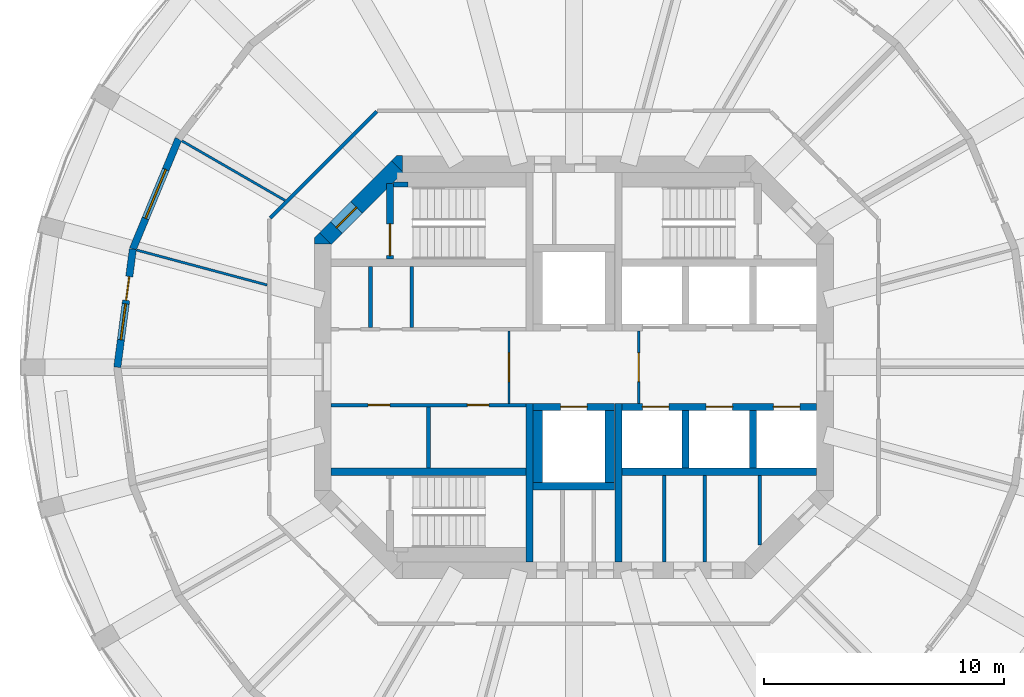
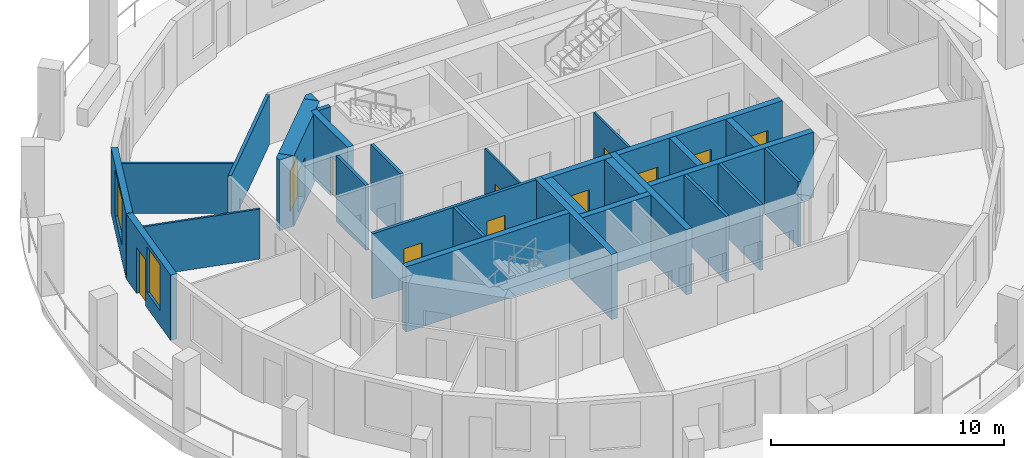
# One storey, part 4 of 9: 30 walls, 11 doors, 2 windows, 13 openings.
"""IFC4 building model written with IfcOpenShell, lengths in metres."""

from ifc_helpers import new_model, si_unit, direction, frame, frame_2d, origin, place, context, subcontext, project, spatial, polyline, rectangle, outline, extrude, material, layer, layer_set, type_object, element, fill, save


model = new_model("IFC4")

# Units and contexts
model_context = context("Model", 3, precision=1e-05, world=origin(), true_north=direction((0.0, 1.0)))
body_context = subcontext(model_context, "Body", "Model", "MODEL_VIEW")
ifc_project = project(units=[si_unit("LENGTHUNIT", "METRE"), si_unit("AREAUNIT", "SQUARE_METRE"), si_unit("VOLUMEUNIT", "CUBIC_METRE"), si_unit("PLANEANGLEUNIT", "RADIAN"), si_unit("MASSUNIT", "GRAM", prefix="KILO")], contexts=[model_context])

# Site, building, storey
site_placement = place(None, origin())
site = spatial("IfcSite", under=ifc_project, at=site_placement, CompositionType="ELEMENT")
building_placement = place(site_placement, origin())
building = spatial("IfcBuilding", under=site, at=building_placement, Name="Torre Triforio", CompositionType="ELEMENT")
storey_placement = place(building_placement, frame((0.0, 0.0, 165.300048828125)))
storey = spatial("IfcBuildingStorey", under=building, at=storey_placement, Name="L37", CompositionType="ELEMENT", Elevation=165.300048828125)

# Walls
ifc_material_1 = material(Name="Concrete C50", Category="concrete")
ifc_layer_1 = layer(ifc_material_1, 0.300048828125)
ifc_layer_set_1 = layer_set([ifc_layer_1], Name="Concrete C50")
wall_type_1 = type_object("IfcWallType", Name="Core wall 300 mm C50 EI 120", PredefinedType="SHEAR", material=ifc_layer_set_1)
for number, where, z_axis, x_axis, name in (
    (1, (-1.85009765625, -8.10009765625, 0.0), (0.0, 0.0, 1.0), (0.0, 1.0, 0.0), "Core wall"),
    (2, (1.85009765625, -8.10009765625, 0.0), (0.0, 0.0, 1.0), (0.0, 1.0, 0.0), "Core wall"),
):
    element("IfcWall", number, at=place(storey_placement, frame(where, z_axis=z_axis, x_axis=x_axis)), inside=storey, type_object=wall_type_1, Name=name, PredefinedType="SHEAR", context=body_context, shape_type="SweptSolid", body=[
        extrude(rectangle(XDim=6.60009765625, YDim=0.300048828125, at=frame_2d((3.300048828125, 0.0))), origin(), (0.0, 0.0, 1.0), 3.419921875),
    ])

# Wall, opening, door
ifc_layer_2 = layer(ifc_material_1, 0.699951171875)
ifc_layer_set_2 = layer_set([ifc_layer_2], Name="Concrete C50")
wall_type_2 = type_object("IfcWallType", Name="Core wall 700 mm C50 EI 120", PredefinedType="SHEAR", material=ifc_layer_set_2)
wall_1_placement = place(storey_placement, frame((-10.347412109375, 5.347412109375, -0.280029296875), z_axis=(0.0, 0.0, 1.0), x_axis=(0.707106781187, 0.707106781187, 0.0)))
wall_1 = element("IfcWall", 3, at=wall_1_placement, inside=storey, type_object=wall_type_2, Name="Core wall", PredefinedType="SHEAR", context=body_context, shape_type="SweptSolid", body=[
    extrude(rectangle(XDim=4.24267578125, YDim=0.699951171875, at=frame_2d((2.121337890625, 0.0))), origin(), (0.0, 0.0, 1.0), 3.699951171875),
])
opening_1_placement = place(wall_1_placement, frame((0.64990234375, 0.0, 0.280029296875)))
opening_1 = element("IfcOpeningElement", 4, at=opening_1_placement, cuts=wall_1, Name="Opening ST1-EXIT", PredefinedType="OPENING", context=body_context, shape_type="SweptSolid", body=[
    extrude(rectangle(XDim=1.199951171875, YDim=2.10009765625, at=frame_2d((0.60009765625, 1.050048828125))), frame((0.0, 0.35986328125, 0.0), z_axis=(0.0, -1.0, 0.0), x_axis=(1.0, 0.0, 0.0)), (0.0, 0.0, 1.0), 0.719970703125),
])
ifc_material_2 = material(Name="Hollow metal fire door leaf")
door_type_1 = type_object("IfcDoorType", Name="Stair lobby door 1200 x 2100 EI 60", OperationType="NOTDEFINED", PredefinedType="DOOR", material=ifc_material_2)
door_1_placement = place(opening_1_placement, origin())
door_1 = element("IfcDoor", 5, at=door_1_placement, inside=storey, type_object=door_type_1, Name="Core door ST1-EXIT", OperationType="SINGLE_SWING_RIGHT", OverallHeight=2.10009765625, OverallWidth=1.199951171875, PredefinedType="DOOR", context=body_context, shape_type="SweptSolid", body=[
    extrude(rectangle(XDim=1.199951171875, YDim=2.10009765625, at=frame_2d((0.60009765625, 1.050048828125))), frame((0.0, 0.02490234375, 0.0), z_axis=(0.0, -1.0, 0.0), x_axis=(1.0, 0.0, 0.0)), (0.0, 0.0, 1.0), 0.050048828125),
])
fill(opening_1, door_1)

# Walls
wall_2_placement = place(storey_placement, frame((0.0, 0.0, -0.280029296875)))
element("IfcWall", 6, at=wall_2_placement, inside=storey, type_object=wall_type_2, Name="Core wall", PredefinedType="SHEAR", context=body_context, shape_type="SweptSolid", body=[
    extrude(outline(polyline([(-10.594970703125, 5.594970703125), (-10.594970703125, 5.594970703125), (-10.594970703125, 5.594970703125), (-10.1298828125, 5.1298828125), (-10.800048828125, 5.1298828125), (-10.800048828125, 5.1298828125), (-10.800048828125, 5.389892578125), (-10.594970703125, 5.594970703125)])), origin(), (0.0, 0.0, 1.0), 3.699951171875),
])
wall_3_placement = place(storey_placement, frame((0.0, 0.0, -0.280029296875)))
element("IfcWall", 7, at=wall_3_placement, inside=storey, type_object=wall_type_2, Name="Core wall", PredefinedType="SHEAR", context=body_context, shape_type="SweptSolid", body=[
    extrude(outline(polyline([(-7.389892578125, 8.800048828125), (-7.1298828125, 8.800048828125), (-7.1298828125, 8.800048828125), (-7.1298828125, 8.1298828125), (-7.594970703125, 8.594970703125), (-7.594970703125, 8.594970703125), (-7.594970703125, 8.594970703125), (-7.389892578125, 8.800048828125)])), origin(), (0.0, 0.0, 1.0), 3.699951171875),
])
ifc_material_3 = material(Name="Plasterboard on metal studs")
ifc_layer_3 = layer(ifc_material_3, 0.14990234375)
ifc_layer_set_3 = layer_set([ifc_layer_3], Name="Plasterboard on metal studs")
wall_type_3 = type_object("IfcWallType", Name="Corridor and tenancy wall 150 mm EI 60", PredefinedType="PARTITIONING", material=ifc_layer_set_3)
wall_4_placement = place(storey_placement, frame((-12.637939453125, 6.20361328125, 0.0), z_axis=(0.0, 0.0, 1.0), x_axis=(0.707106781187, 0.707106781187, 0.0)))
element("IfcWall", 8, at=wall_4_placement, inside=storey, type_object=wall_type_3, Name="Partition 5", PredefinedType="PARTITIONING", context=body_context, shape_type="SweptSolid", body=[
    extrude(rectangle(XDim=6.27099609375, YDim=0.14990234375, at=frame_2d((3.135498046875, 0.0))), origin(), (0.0, 0.0, 1.0), 2.619873046875),
])

# Wall, opening, door
ifc_material_4 = material(Name="Block and board partition")
ifc_layer_4 = layer(ifc_material_4, 0.10009765625)
ifc_layer_set_4 = layer_set([ifc_layer_4], Name="Block and board partition")
wall_type_4 = type_object("IfcWallType", Name="Partition 100 mm EI 120", PredefinedType="PARTITIONING", material=ifc_layer_set_4)
wall_5_placement = place(storey_placement, frame((-2.699951171875, -1.5, 0.0), z_axis=(0.0, 0.0, 1.0), x_axis=(0.0, 1.0, 0.0)))
wall_5 = element("IfcWall", 9, at=wall_5_placement, inside=storey, type_object=wall_type_4, Name="Partition", PredefinedType="PARTITIONING", context=body_context, shape_type="SweptSolid", body=[
    extrude(rectangle(XDim=3.0, YDim=0.10009765625, at=frame_2d((1.5, 0.0))), origin(), (0.0, 0.0, 1.0), 3.419921875),
])
opening_2_placement = place(wall_5_placement, frame((0.89990234375, 0.0, 0.0)))
opening_2 = element("IfcOpeningElement", 10, at=opening_2_placement, cuts=wall_5, Name="Opening FF-W", PredefinedType="OPENING", context=body_context, shape_type="SweptSolid", body=[
    extrude(rectangle(XDim=1.199951171875, YDim=2.10009765625, at=frame_2d((0.60009765625, 1.050048828125))), frame((0.0, 0.06005859375, 0.0), z_axis=(0.0, -1.0, 0.0), x_axis=(1.0, 0.0, 0.0)), (0.0, 0.0, 1.0), 0.1201171875),
])
door_type_2 = type_object("IfcDoorType", Name="Fire-fighting lobby door 1200 x 2100 EI 60", OperationType="NOTDEFINED", PredefinedType="DOOR", material=ifc_material_2)
door_2_placement = place(opening_2_placement, origin())
door_2 = element("IfcDoor", 11, at=door_2_placement, inside=storey, type_object=door_type_2, Name="Core door FF-W", OperationType="SINGLE_SWING_LEFT", OverallHeight=2.10009765625, OverallWidth=1.199951171875, PredefinedType="DOOR", context=body_context, shape_type="SweptSolid", body=[
    extrude(rectangle(XDim=1.199951171875, YDim=2.10009765625, at=frame_2d((0.60009765625, 1.050048828125))), frame((0.0, 0.02490234375, 0.0), z_axis=(0.0, -1.0, 0.0), x_axis=(1.0, 0.0, 0.0)), (0.0, 0.0, 1.0), 0.050048828125),
])
fill(opening_2, door_2)

wall_6_placement = place(storey_placement, frame((2.699951171875, -1.5, 0.0), z_axis=(0.0, 0.0, 1.0), x_axis=(0.0, 1.0, 0.0)))
wall_6 = element("IfcWall", 12, at=wall_6_placement, inside=storey, type_object=wall_type_4, Name="Partition", PredefinedType="PARTITIONING", context=body_context, shape_type="SweptSolid", body=[
    extrude(rectangle(XDim=3.0, YDim=0.10009765625, at=frame_2d((1.5, 0.0))), origin(), (0.0, 0.0, 1.0), 3.419921875),
])
opening_3_placement = place(wall_6_placement, frame((0.89990234375, 0.0, 0.0)))
opening_3 = element("IfcOpeningElement", 13, at=opening_3_placement, cuts=wall_6, Name="Opening FF-E", PredefinedType="OPENING", context=body_context, shape_type="SweptSolid", body=[
    extrude(rectangle(XDim=1.199951171875, YDim=2.10009765625, at=frame_2d((0.60009765625, 1.050048828125))), frame((0.0, 0.06005859375, 0.0), z_axis=(0.0, -1.0, 0.0), x_axis=(1.0, 0.0, 0.0)), (0.0, 0.0, 1.0), 0.1201171875),
])
door_3_placement = place(opening_3_placement, origin())
door_3 = element("IfcDoor", 14, at=door_3_placement, inside=storey, type_object=door_type_2, Name="Core door FF-E", OperationType="SINGLE_SWING_LEFT", OverallHeight=2.10009765625, OverallWidth=1.199951171875, PredefinedType="DOOR", context=body_context, shape_type="SweptSolid", body=[
    extrude(rectangle(XDim=1.199951171875, YDim=2.10009765625, at=frame_2d((0.60009765625, 1.050048828125))), frame((0.0, 0.02490234375, 0.0), z_axis=(0.0, -1.0, 0.0), x_axis=(1.0, 0.0, 0.0)), (0.0, 0.0, 1.0), 0.050048828125),
])
fill(opening_3, door_3)

# Walls
ifc_layer_5 = layer(ifc_material_3, 0.10009765625)
ifc_layer_set_5 = layer_set([ifc_layer_5], Name="Plasterboard on metal studs")
wall_type_5 = type_object("IfcWallType", Name="Partition 100 mm board on metal studs", PredefinedType="PARTITIONING", material=ifc_layer_set_5)
wall_7_placement = place(storey_placement, frame((-12.025146484375, 6.94287109375, 0.0), z_axis=(0.0, 0.0, 1.0), x_axis=(-0.866025463095, 0.499999897272, 0.0)))
element("IfcWall", 15, at=wall_7_placement, inside=storey, type_object=wall_type_5, Name="Partition 17", PredefinedType="PARTITIONING", context=body_context, shape_type="SweptSolid", body=[
    extrude(rectangle(XDim=4.951171875, YDim=0.10009765625, at=frame_2d((2.4755859375, 0.0))), origin(), (0.0, 0.0, 1.0), 2.619873046875),
])
wall_8_placement = place(storey_placement, frame((-12.764404296875, 3.420166015625, 0.0), z_axis=(0.0, 0.0, 1.0), x_axis=(-0.965925759926, 0.258819292773, 0.0)))
element("IfcWall", 16, at=wall_8_placement, inside=storey, type_object=wall_type_5, Name="Partition 18", PredefinedType="PARTITIONING", context=body_context, shape_type="SweptSolid", body=[
    extrude(rectangle(XDim=5.6220703125, YDim=0.10009765625, at=frame_2d((2.81103515625, 0.0))), origin(), (0.0, 0.0, 1.0), 2.619873046875),
])
ifc_layer_6 = layer(ifc_material_4, 0.14990234375)
ifc_layer_set_6 = layer_set([ifc_layer_6], Name="Block and board partition")
wall_type_6 = type_object("IfcWallType", Name="Partition 150 mm", PredefinedType="PARTITIONING", material=ifc_layer_set_6)
for number, where, z_axis, x_axis, name in (
    (17, (3.758056640625, -8.10009765625, 0.0), (0.0, 0.0, 1.0), (0.0, 1.0, 0.0), "Partition"),
    (18, (5.43798828125, -8.10009765625, 0.0), (0.0, 0.0, 1.0), (0.0, 1.0, 0.0), "Partition"),
):
    element("IfcWall", number, at=place(storey_placement, frame(where, z_axis=z_axis, x_axis=x_axis)), inside=storey, type_object=wall_type_6, Name=name, PredefinedType="PARTITIONING", context=body_context, shape_type="SweptSolid", body=[
        extrude(rectangle(XDim=3.60009765625, YDim=0.14990234375, at=frame_2d((1.800048828125, 0.0))), origin(), (0.0, 0.0, 1.0), 3.419921875),
    ])
wall_9_placement = place(storey_placement, frame((7.72998046875, -7.39501953125, 0.0), z_axis=(0.0, 0.0, 1.0), x_axis=(0.0, 1.0, 0.0)))
element("IfcWall", 19, at=wall_9_placement, inside=storey, type_object=wall_type_6, Name="Partition", PredefinedType="PARTITIONING", context=body_context, shape_type="SweptSolid", body=[
    extrude(rectangle(XDim=2.89501953125, YDim=0.14990234375, at=frame_2d((1.447509765625, 0.0))), origin(), (0.0, 0.0, 1.0), 3.419921875),
])
for number, where, z_axis, x_axis, name in (
    (20, (-8.465087890625, 1.64990234375, 0.0), (0.0, 0.0, 1.0), (0.0, 1.0, 0.0), "Partition"),
    (21, (-6.7548828125, 1.64990234375, 0.0), (0.0, 0.0, 1.0), (0.0, 1.0, 0.0), "Partition"),
    (22, (-6.050048828125, -4.199951171875, 0.0), (0.0, 0.0, 1.0), (0.0, 1.0, 0.0), "Partition"),
):
    element("IfcWall", number, at=place(storey_placement, frame(where, z_axis=z_axis, x_axis=x_axis)), inside=storey, type_object=wall_type_6, Name=name, PredefinedType="PARTITIONING", context=body_context, shape_type="SweptSolid", body=[
        extrude(rectangle(XDim=2.550048828125, YDim=0.14990234375, at=frame_2d((1.27490234375, 0.0))), origin(), (0.0, 0.0, 1.0), 3.419921875),
    ])

# Wall, openings, doors
ifc_layer_7 = layer(ifc_material_4, 0.14990234375)
ifc_layer_set_7 = layer_set([ifc_layer_7], Name="Block and board partition")
wall_type_7 = type_object("IfcWallType", Name="Partition 150 mm EI 120", PredefinedType="PARTITIONING", material=ifc_layer_set_7)
wall_10_placement = place(storey_placement, frame((-10.10009765625, -1.574951171875, 0.0), z_axis=(0.0, 0.0, 1.0), x_axis=(1.0, 0.0, 0.0)))
wall_10 = element("IfcWall", 23, at=wall_10_placement, inside=storey, type_object=wall_type_7, Name="Partition", PredefinedType="PARTITIONING", context=body_context, shape_type="SweptSolid", body=[
    extrude(rectangle(XDim=8.10009765625, YDim=0.14990234375, at=frame_2d((4.050048828125, 0.0))), origin(), (0.0, 0.0, 1.0), 3.419921875),
])
opening_4_placement = place(wall_10_placement, frame((1.53759765625, 0.0, 0.0)))
opening_4 = element("IfcOpeningElement", 24, at=opening_4_placement, cuts=wall_10, Name="Opening FS-01", PredefinedType="OPENING", context=body_context, shape_type="SweptSolid", body=[
    extrude(rectangle(XDim=0.89990234375, YDim=2.10009765625, at=frame_2d((0.449951171875, 1.050048828125))), frame((0.0, 0.0849609375, 0.0), z_axis=(0.0, -1.0, 0.0), x_axis=(1.0, 0.0, 0.0)), (0.0, 0.0, 1.0), 0.169921875),
])
opening_5_placement = place(wall_10_placement, frame((5.66259765625, 0.0, 0.0)))
opening_5 = element("IfcOpeningElement", 25, at=opening_5_placement, cuts=wall_10, Name="Opening FS-02", PredefinedType="OPENING", context=body_context, shape_type="SweptSolid", body=[
    extrude(rectangle(XDim=0.89990234375, YDim=2.10009765625, at=frame_2d((0.449951171875, 1.050048828125))), frame((0.0, 0.0849609375, 0.0), z_axis=(0.0, -1.0, 0.0), x_axis=(1.0, 0.0, 0.0)), (0.0, 0.0, 1.0), 0.169921875),
])
door_type_3 = type_object("IfcDoorType", Name="Room door 900 x 2100 EI 60", OperationType="NOTDEFINED", PredefinedType="DOOR", material=ifc_material_2)
door_4_placement = place(opening_4_placement, origin())
door_4 = element("IfcDoor", 26, at=door_4_placement, inside=storey, type_object=door_type_3, Name="Core door FS-01", OperationType="SINGLE_SWING_LEFT", OverallHeight=2.10009765625, OverallWidth=0.89990234375, PredefinedType="DOOR", context=body_context, shape_type="SweptSolid", body=[
    extrude(rectangle(XDim=0.89990234375, YDim=2.10009765625, at=frame_2d((0.449951171875, 1.050048828125))), frame((0.0, 0.02490234375, 0.0), z_axis=(0.0, -1.0, 0.0), x_axis=(1.0, 0.0, 0.0)), (0.0, 0.0, 1.0), 0.050048828125),
])
fill(opening_4, door_4)
door_5_placement = place(opening_5_placement, origin())
door_5 = element("IfcDoor", 27, at=door_5_placement, inside=storey, type_object=door_type_3, Name="Core door FS-02", OperationType="SINGLE_SWING_LEFT", OverallHeight=2.10009765625, OverallWidth=0.89990234375, PredefinedType="DOOR", context=body_context, shape_type="SweptSolid", body=[
    extrude(rectangle(XDim=0.89990234375, YDim=2.10009765625, at=frame_2d((0.449951171875, 1.050048828125))), frame((0.0, 0.02490234375, 0.0), z_axis=(0.0, -1.0, 0.0), x_axis=(1.0, 0.0, 0.0)), (0.0, 0.0, 1.0), 0.050048828125),
])
fill(opening_5, door_5)

# Walls
ifc_layer_8 = layer(ifc_material_1, 0.300048828125)
ifc_layer_set_8 = layer_set([ifc_layer_8], Name="Concrete C50")
wall_type_8 = type_object("IfcWallType", Name="Shaft wall 300 mm C50 EI 120", PredefinedType="SOLIDWALL", material=ifc_layer_set_8)
for number, where, z_axis, x_axis, name in (
    (28, (-10.10009765625, -4.35009765625, 0.0), (0.0, 0.0, 1.0), (1.0, 0.0, 0.0), "Shaft wall"),
    (29, (2.0, -4.35009765625, 0.0), (0.0, 0.0, 1.0), (1.0, 0.0, 0.0), "Shaft wall"),
):
    element("IfcWall", number, at=place(storey_placement, frame(where, z_axis=z_axis, x_axis=x_axis)), inside=storey, type_object=wall_type_8, Name=name, PredefinedType="SOLIDWALL", context=body_context, shape_type="SweptSolid", body=[
        extrude(rectangle(XDim=8.10009765625, YDim=0.300048828125, at=frame_2d((4.050048828125, 0.0))), origin(), (0.0, 0.0, 1.0), 3.419921875),
    ])

# Wall, openings, doors
wall_11_placement = place(storey_placement, frame((2.0, -1.64990234375, 0.0), z_axis=(0.0, 0.0, 1.0), x_axis=(1.0, 0.0, 0.0)))
wall_11 = element("IfcWall", 30, at=wall_11_placement, inside=storey, type_object=wall_type_8, Name="Shaft wall", PredefinedType="SOLIDWALL", context=body_context, shape_type="SweptSolid", body=[
    extrude(rectangle(XDim=8.10009765625, YDim=0.300048828125, at=frame_2d((4.050048828125, 0.0))), origin(), (0.0, 0.0, 1.0), 3.419921875),
])
opening_6_placement = place(wall_11_placement, frame((0.85009765625, 0.0, 0.0)))
opening_6 = element("IfcOpeningElement", 31, at=opening_6_placement, cuts=wall_11, Name="Opening LD", PredefinedType="OPENING", context=body_context, shape_type="SweptSolid", body=[
    extrude(rectangle(XDim=1.10009765625, YDim=2.10009765625, at=frame_2d((0.550048828125, 1.050048828125))), frame((0.0, 0.159912109375, 0.0), z_axis=(0.0, -1.0, 0.0), x_axis=(1.0, 0.0, 0.0)), (0.0, 0.0, 1.0), 0.320068359375),
])
opening_7_placement = place(wall_11_placement, frame((3.5, 0.0, 0.0)))
opening_7 = element("IfcOpeningElement", 32, at=opening_7_placement, cuts=wall_11, Name="Opening LD", PredefinedType="OPENING", context=body_context, shape_type="SweptSolid", body=[
    extrude(rectangle(XDim=1.10009765625, YDim=2.10009765625, at=frame_2d((0.550048828125, 1.050048828125))), frame((0.0, 0.159912109375, 0.0), z_axis=(0.0, -1.0, 0.0), x_axis=(1.0, 0.0, 0.0)), (0.0, 0.0, 1.0), 0.320068359375),
])
opening_8_placement = place(wall_11_placement, frame((6.300048828125, 0.0, 0.0)))
opening_8 = element("IfcOpeningElement", 33, at=opening_8_placement, cuts=wall_11, Name="Opening LD", PredefinedType="OPENING", context=body_context, shape_type="SweptSolid", body=[
    extrude(rectangle(XDim=1.10009765625, YDim=2.10009765625, at=frame_2d((0.550048828125, 1.050048828125))), frame((0.0, 0.159912109375, 0.0), z_axis=(0.0, -1.0, 0.0), x_axis=(1.0, 0.0, 0.0)), (0.0, 0.0, 1.0), 0.320068359375),
])
door_type_4 = type_object("IfcDoorType", Name="Landing door 1100 x 2100 EI 60", OperationType="DOUBLE_DOOR_SLIDING", PredefinedType="DOOR", material=ifc_material_2)
door_6_placement = place(opening_6_placement, origin())
door_6 = element("IfcDoor", 34, at=door_6_placement, inside=storey, type_object=door_type_4, Name="Landing door HR4", OperationType="DOUBLE_DOOR_SLIDING", OverallHeight=2.10009765625, OverallWidth=1.10009765625, PredefinedType="DOOR", context=body_context, shape_type="SweptSolid", body=[
    extrude(rectangle(XDim=1.10009765625, YDim=2.10009765625, at=frame_2d((0.550048828125, 1.050048828125))), frame((0.0, 0.02490234375, 0.0), z_axis=(0.0, -1.0, 0.0), x_axis=(1.0, 0.0, 0.0)), (0.0, 0.0, 1.0), 0.050048828125),
])
fill(opening_6, door_6)
door_7_placement = place(opening_7_placement, origin())
door_7 = element("IfcDoor", 35, at=door_7_placement, inside=storey, type_object=door_type_4, Name="Landing door HR5", OperationType="DOUBLE_DOOR_SLIDING", OverallHeight=2.10009765625, OverallWidth=1.10009765625, PredefinedType="DOOR", context=body_context, shape_type="SweptSolid", body=[
    extrude(rectangle(XDim=1.10009765625, YDim=2.10009765625, at=frame_2d((0.550048828125, 1.050048828125))), frame((0.0, 0.02490234375, 0.0), z_axis=(0.0, -1.0, 0.0), x_axis=(1.0, 0.0, 0.0)), (0.0, 0.0, 1.0), 0.050048828125),
])
fill(opening_7, door_7)
door_8_placement = place(opening_8_placement, origin())
door_8 = element("IfcDoor", 36, at=door_8_placement, inside=storey, type_object=door_type_4, Name="Landing door HR6", OperationType="DOUBLE_DOOR_SLIDING", OverallHeight=2.10009765625, OverallWidth=1.10009765625, PredefinedType="DOOR", context=body_context, shape_type="SweptSolid", body=[
    extrude(rectangle(XDim=1.10009765625, YDim=2.10009765625, at=frame_2d((0.550048828125, 1.050048828125))), frame((0.0, 0.02490234375, 0.0), z_axis=(0.0, -1.0, 0.0), x_axis=(1.0, 0.0, 0.0)), (0.0, 0.0, 1.0), 0.050048828125),
])
fill(opening_8, door_8)

# Walls
for number, where, z_axis, x_axis, name in (
    (37, (4.64990234375, -4.199951171875, 0.0), (0.0, 0.0, 1.0), (0.0, 1.0, 0.0), "Shaft wall"),
    (38, (7.449951171875, -4.199951171875, 0.0), (0.0, 0.0, 1.0), (0.0, 1.0, 0.0), "Shaft wall"),
):
    element("IfcWall", number, at=place(storey_placement, frame(where, z_axis=z_axis, x_axis=x_axis)), inside=storey, type_object=wall_type_8, Name=name, PredefinedType="SOLIDWALL", context=body_context, shape_type="SweptSolid", body=[
        extrude(rectangle(XDim=2.39990234375, YDim=0.300048828125, at=frame_2d((1.199951171875, 0.0))), origin(), (0.0, 0.0, 1.0), 3.419921875),
    ])

# Wall, opening, door
wall_12_placement = place(storey_placement, frame((-1.699951171875, -1.64990234375, 0.0), z_axis=(0.0, 0.0, 1.0), x_axis=(1.0, 0.0, 0.0)))
wall_12 = element("IfcWall", 39, at=wall_12_placement, inside=storey, type_object=wall_type_8, Name="Shaft wall", PredefinedType="SOLIDWALL", context=body_context, shape_type="SweptSolid", body=[
    extrude(rectangle(XDim=3.39990234375, YDim=0.300048828125, at=frame_2d((1.699951171875, 0.0))), origin(), (0.0, 0.0, 1.0), 3.419921875),
])
opening_9_placement = place(wall_12_placement, frame((1.14990234375, 0.0, 0.0)))
opening_9 = element("IfcOpeningElement", 40, at=opening_9_placement, cuts=wall_12, Name="Opening LD", PredefinedType="OPENING", context=body_context, shape_type="SweptSolid", body=[
    extrude(rectangle(XDim=1.10009765625, YDim=2.10009765625, at=frame_2d((0.550048828125, 1.050048828125))), frame((0.0, 0.159912109375, 0.0), z_axis=(0.0, -1.0, 0.0), x_axis=(1.0, 0.0, 0.0)), (0.0, 0.0, 1.0), 0.320068359375),
])
door_9_placement = place(opening_9_placement, origin())
door_9 = element("IfcDoor", 41, at=door_9_placement, inside=storey, type_object=door_type_4, Name="Landing door FFL2", OperationType="DOUBLE_DOOR_SLIDING", OverallHeight=2.10009765625, OverallWidth=1.10009765625, PredefinedType="DOOR", context=body_context, shape_type="SweptSolid", body=[
    extrude(rectangle(XDim=1.10009765625, YDim=2.10009765625, at=frame_2d((0.550048828125, 1.050048828125))), frame((0.0, 0.02490234375, 0.0), z_axis=(0.0, -1.0, 0.0), x_axis=(1.0, 0.0, 0.0)), (0.0, 0.0, 1.0), 0.050048828125),
])
fill(opening_9, door_9)

# Walls
wall_13_placement = place(storey_placement, frame((-1.699951171875, -4.949951171875, 0.0), z_axis=(0.0, 0.0, 1.0), x_axis=(1.0, 0.0, 0.0)))
element("IfcWall", 42, at=wall_13_placement, inside=storey, type_object=wall_type_8, Name="Shaft wall", PredefinedType="SOLIDWALL", context=body_context, shape_type="SweptSolid", body=[
    extrude(rectangle(XDim=3.39990234375, YDim=0.300048828125, at=frame_2d((1.699951171875, 0.0))), origin(), (0.0, 0.0, 1.0), 3.419921875),
])
ifc_layer_9 = layer(ifc_material_1, 0.39990234375)
ifc_layer_set_9 = layer_set([ifc_layer_9], Name="Concrete C50")
wall_type_9 = type_object("IfcWallType", Name="Shaft wall 400 mm C50 EI 120", PredefinedType="SOLIDWALL", material=ifc_layer_set_9)
for number, where, z_axis, x_axis, name in (
    (43, (-1.5, -4.800048828125, 0.0), (0.0, 0.0, 1.0), (0.0, 1.0, 0.0), "Shaft wall"),
    (44, (1.5, -4.800048828125, 0.0), (0.0, 0.0, 1.0), (0.0, 1.0, 0.0), "Shaft wall"),
):
    element("IfcWall", number, at=place(storey_placement, frame(where, z_axis=z_axis, x_axis=x_axis)), inside=storey, type_object=wall_type_9, Name=name, PredefinedType="SOLIDWALL", context=body_context, shape_type="SweptSolid", body=[
        extrude(rectangle(XDim=3.0, YDim=0.39990234375, at=frame_2d((1.5, 0.0))), origin(), (0.0, 0.0, 1.0), 3.419921875),
    ])
ifc_layer_10 = layer(ifc_material_1, 0.199951171875)
ifc_layer_set_10 = layer_set([ifc_layer_10], Name="Concrete C50")
wall_type_10 = type_object("IfcWallType", Name="Stair wall 200 mm C50 EI 120", PredefinedType="SHEAR", material=ifc_layer_set_10)
wall_14_placement = place(storey_placement, frame((-7.5, 7.60009765625, 0.0), z_axis=(0.0, 0.0, 1.0), x_axis=(1.0, 0.0, 0.0)))
element("IfcWall", 45, at=wall_14_placement, inside=storey, type_object=wall_type_10, Name="Stair wall", PredefinedType="SHEAR", context=body_context, shape_type="SweptSolid", body=[
    extrude(rectangle(XDim=0.60009765625, YDim=0.199951171875, at=frame_2d((0.300048828125, 0.0))), origin(), (0.0, 0.0, 1.0), 3.419921875),
])

# Wall, opening, door
ifc_layer_11 = layer(ifc_material_1, 0.300048828125)
ifc_layer_set_11 = layer_set([ifc_layer_11], Name="Concrete C50")
wall_type_11 = type_object("IfcWallType", Name="Stair wall 300 mm C50 EI 120", PredefinedType="SHEAR", material=ifc_layer_set_11)
wall_15_placement = place(storey_placement, frame((-7.64990234375, 4.5, 0.0), z_axis=(0.0, 0.0, 1.0), x_axis=(0.0, 1.0, 0.0)))
wall_15 = element("IfcWall", 46, at=wall_15_placement, inside=storey, type_object=wall_type_11, Name="Stair wall", PredefinedType="SHEAR", context=body_context, shape_type="SweptSolid", body=[
    extrude(rectangle(XDim=3.139892578125, YDim=0.300048828125, at=frame_2d((1.56982421875, 0.0))), origin(), (0.0, 0.0, 1.0), 3.419921875),
])
opening_10_placement = place(wall_15_placement, frame((0.139892578125, 0.0, 0.0)))
opening_10 = element("IfcOpeningElement", 47, at=opening_10_placement, cuts=wall_15, Name="Opening ST1-STA", PredefinedType="OPENING", context=body_context, shape_type="SweptSolid", body=[
    extrude(rectangle(XDim=1.320068359375, YDim=2.10009765625, at=frame_2d((0.66015625, 1.050048828125))), frame((0.0, 0.159912109375, 0.0), z_axis=(0.0, -1.0, 0.0), x_axis=(1.0, 0.0, 0.0)), (0.0, 0.0, 1.0), 0.320068359375),
])
door_type_5 = type_object("IfcDoorType", Name="Stair door 1320 x 2100 EI 90", OperationType="DOUBLE_DOOR_SINGLE_SWING", PredefinedType="DOOR", material=ifc_material_2)
door_10_placement = place(opening_10_placement, origin())
door_10 = element("IfcDoor", 48, at=door_10_placement, inside=storey, type_object=door_type_5, Name="Core door ST1-ST", OperationType="DOUBLE_DOOR_SINGLE_SWING", OverallHeight=2.10009765625, OverallWidth=1.320068359375, PredefinedType="DOOR", context=body_context, shape_type="SweptSolid", body=[
    extrude(rectangle(XDim=1.320068359375, YDim=2.10009765625, at=frame_2d((0.66015625, 1.050048828125))), frame((0.0, 0.02490234375, 0.0), z_axis=(0.0, -1.0, 0.0), x_axis=(1.0, 0.0, 0.0)), (0.0, 0.0, 1.0), 0.050048828125),
])
fill(opening_10, door_10)

# Wall, opening, window
ifc_material_5 = material(Name="Limestone cladding", Category="masonry")
ifc_layer_12 = layer(ifc_material_5, 0.10009765625)
ifc_material_6 = material(Name="Concrete C40", Category="concrete")
ifc_layer_13 = layer(ifc_material_6, 0.199951171875)
ifc_layer_set_12 = layer_set([ifc_layer_12, ifc_layer_13], Name="Limestone cladding / Concrete C40")
wall_type_12 = type_object("IfcWallType", Name="Stone-faced composite wall 300", PredefinedType="STANDARD", material=ifc_layer_set_12)
wall_16_placement = place(storey_placement, frame((-16.45458984375, 9.5, 0.0), z_axis=(0.0, 0.0, 1.0), x_axis=(-0.382650301762, -0.923893254961, 0.0)))
wall_16 = element("IfcWall", 49, at=wall_16_placement, inside=storey, type_object=wall_type_12, Name="External wall L37 bay 11", PredefinedType="STANDARD", context=body_context, shape_type="SweptSolid", body=[
    extrude(rectangle(XDim=4.9599609375, YDim=0.300048828125, at=frame_2d((2.47998046875, 0.0))), origin(), (0.0, 0.0, 1.0), 3.419921875),
])
opening_11_placement = place(wall_16_placement, frame((1.3798828125, 0.0, 0.800048828125)))
opening_11 = element("IfcOpeningElement", 50, at=opening_11_placement, cuts=wall_16, Name="Opening O2-W11", PredefinedType="OPENING", context=body_context, shape_type="SweptSolid", body=[
    extrude(rectangle(XDim=2.199951171875, YDim=2.39990234375, at=frame_2d((1.10009765625, 1.199951171875))), frame((0.0, 0.159912109375, 0.0), z_axis=(0.0, -1.0, 0.0), x_axis=(1.0, 0.0, 0.0)), (0.0, 0.0, 1.0), 0.320068359375),
])
ifc_material_7 = material(Name="Aluminium frame with clear double glazing", Category="aluminium")
window_type_1 = type_object("IfcWindowType", Name="Punched window 2200 x 2400", PartitioningType="DOUBLE_PANEL_VERTICAL", PredefinedType="WINDOW", material=ifc_material_7)
window_1_placement = place(opening_11_placement, origin())
window_1 = element("IfcWindow", 51, at=window_1_placement, inside=storey, type_object=window_type_1, Name="Window EWN5 L37 bay 11", OverallHeight=2.39990234375, OverallWidth=2.199951171875, PartitioningType="SINGLE_PANEL", PredefinedType="WINDOW", context=body_context, shape_type="SweptSolid", body=[
    extrude(rectangle(XDim=2.199951171875, YDim=2.39990234375, at=frame_2d((1.10009765625, 1.199951171875))), frame((0.0, 0.030029296875, 0.0), z_axis=(0.0, -1.0, 0.0), x_axis=(1.0, 0.0, 0.0)), (0.0, 0.0, 1.0), 0.06005859375),
])
fill(opening_11, window_1)

# Wall, openings, door, window
wall_17_placement = place(storey_placement, frame((-18.3525390625, 4.91748046875, 0.0), z_axis=(0.0, 0.0, 1.0), x_axis=(-0.130538549191, -0.991443234469, 0.0)))
wall_17 = element("IfcWall", 52, at=wall_17_placement, inside=storey, type_object=wall_type_12, Name="External wall L37 bay 12", PredefinedType="STANDARD", context=body_context, shape_type="SweptSolid", body=[
    extrude(rectangle(XDim=4.9599609375, YDim=0.300048828125, at=frame_2d((2.47998046875, 0.0))), origin(), (0.0, 0.0, 1.0), 3.419921875),
])
opening_12_placement = place(wall_17_placement, frame((1.155029296875, 0.0, 0.0)))
opening_12 = element("IfcOpeningElement", 53, at=opening_12_placement, cuts=wall_17, Name="Opening O2-D12", PredefinedType="OPENING", context=body_context, shape_type="SweptSolid", body=[
    extrude(rectangle(XDim=1.0, YDim=2.39990234375, at=frame_2d((0.5, 1.199951171875))), frame((0.0, 0.159912109375, 0.0), z_axis=(0.0, -1.0, 0.0), x_axis=(1.0, 0.0, 0.0)), (0.0, 0.0, 1.0), 0.320068359375),
])
opening_13_placement = place(wall_17_placement, frame((2.304931640625, 0.0, 0.800048828125)))
opening_13 = element("IfcOpeningElement", 54, at=opening_13_placement, cuts=wall_17, Name="Opening O2-W12A", PredefinedType="OPENING", context=body_context, shape_type="SweptSolid", body=[
    extrude(rectangle(XDim=1.5, YDim=2.39990234375, at=frame_2d((0.75, 1.199951171875))), frame((0.0, 0.159912109375, 0.0), z_axis=(0.0, -1.0, 0.0), x_axis=(1.0, 0.0, 0.0)), (0.0, 0.0, 1.0), 0.320068359375),
])
door_type_6 = type_object("IfcDoorType", Name="Loggia door 1000 x 2400", OperationType="NOTDEFINED", PredefinedType="DOOR", material=ifc_material_7)
door_11_placement = place(opening_12_placement, origin())
door_11 = element("IfcDoor", 55, at=door_11_placement, inside=storey, type_object=door_type_6, Name="Loggia door L37 bay 12", OperationType="SINGLE_SWING_LEFT", OverallHeight=2.39990234375, OverallWidth=1.0, PredefinedType="DOOR", context=body_context, shape_type="SweptSolid", body=[
    extrude(rectangle(XDim=1.0, YDim=2.39990234375, at=frame_2d((0.5, 1.199951171875))), frame((0.0, 0.02490234375, 0.0), z_axis=(0.0, -1.0, 0.0), x_axis=(1.0, 0.0, 0.0)), (0.0, 0.0, 1.0), 0.050048828125),
])
fill(opening_12, door_11)
window_type_2 = type_object("IfcWindowType", Name="Side window 1500 x 2400", PartitioningType="SINGLE_PANEL", PredefinedType="WINDOW", material=ifc_material_7)
window_2_placement = place(opening_13_placement, origin())
window_2 = element("IfcWindow", 56, at=window_2_placement, inside=storey, type_object=window_type_2, Name="Side window EWN14 L37 bay 12", OverallHeight=2.39990234375, OverallWidth=1.5, PartitioningType="SINGLE_PANEL", PredefinedType="WINDOW", context=body_context, shape_type="SweptSolid", body=[
    extrude(rectangle(XDim=1.5, YDim=2.39990234375, at=frame_2d((0.75, 1.199951171875))), frame((0.0, 0.030029296875, 0.0), z_axis=(0.0, -1.0, 0.0), x_axis=(1.0, 0.0, 0.0)), (0.0, 0.0, 1.0), 0.06005859375),
])
fill(opening_13, window_2)

save(model, "model.ifc")
